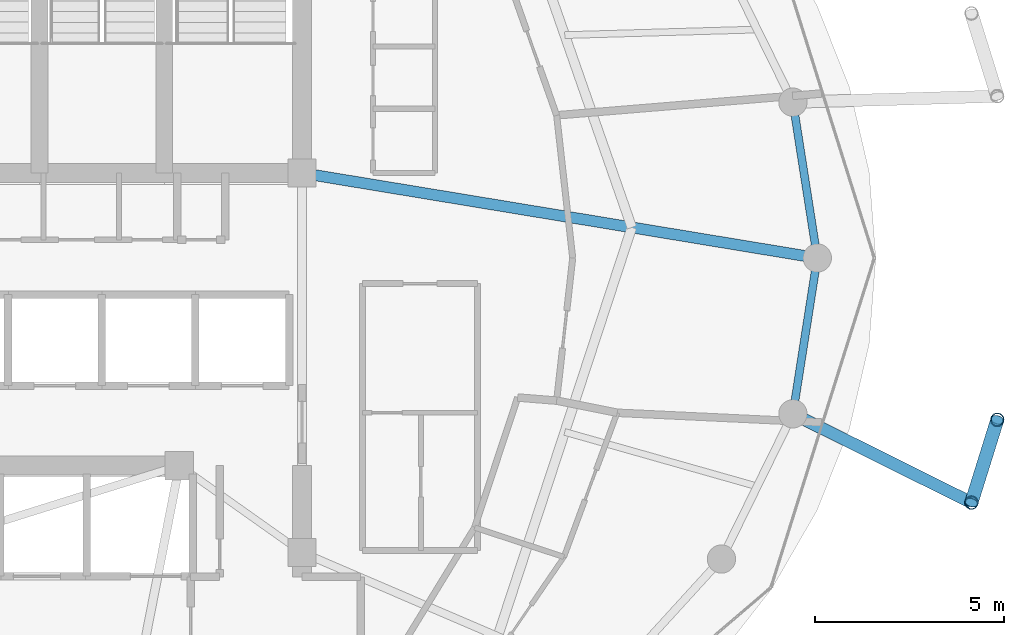
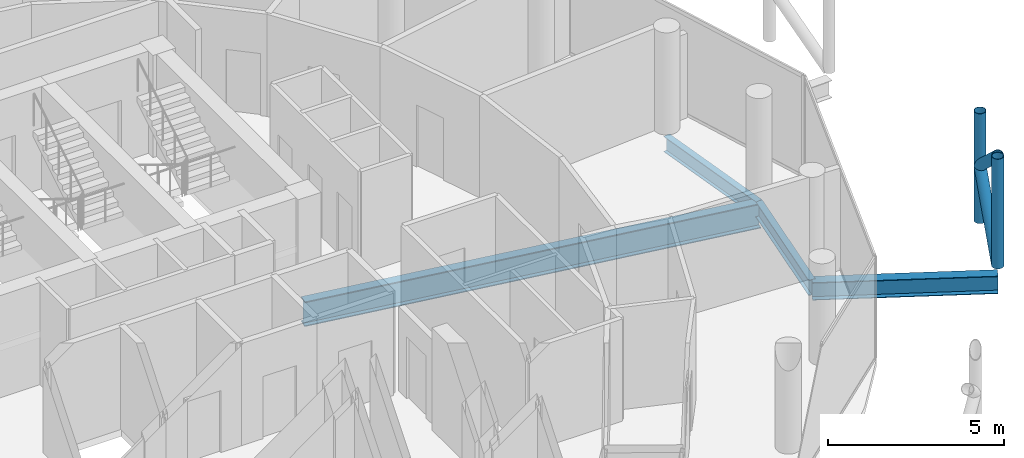
# One storey, part 11 of 24: 4 beams, 4 members.
"""IFC4 building model written with IfcOpenShell, lengths in metres."""

from ifc_helpers import new_model, si_unit, direction, frame, origin, origin_2d, place, context, subcontext, project, spatial, hollow_circle, i_section, extrude, material, material_profile, profile_set, type_object, element, save


model = new_model("IFC4")

# Units and contexts
model_context = context("Model", 3, precision=1e-05, world=origin(), true_north=direction((0.0, 1.0)))
body_context = subcontext(model_context, "Body", "Model", "MODEL_VIEW")
ifc_project = project(units=[si_unit("LENGTHUNIT", "METRE"), si_unit("AREAUNIT", "SQUARE_METRE"), si_unit("VOLUMEUNIT", "CUBIC_METRE"), si_unit("PLANEANGLEUNIT", "RADIAN"), si_unit("MASSUNIT", "GRAM", prefix="KILO")], contexts=[model_context])

# Site, building, storey
site_placement = place(None, origin())
site = spatial("IfcSite", under=ifc_project, at=site_placement, CompositionType="ELEMENT")
building_placement = place(site_placement, origin())
building = spatial("IfcBuilding", under=site, at=building_placement, Name="Nuhasar Tower", CompositionType="ELEMENT")
storey_placement = place(building_placement, frame((0.0, 0.0, 259.39990234375)))
storey = spatial("IfcBuildingStorey", under=building, at=storey_placement, Name="L64", CompositionType="ELEMENT", Elevation=259.39990234375)

# Beams
ifc_material_1 = material(Name="Steel S355", Category="steel")
ifc_material_profile_1 = material_profile(ifc_material_1, i_section(OverallWidth=0.2919921875, OverallDepth=0.85888671875, WebThickness=0.01708984375, FlangeThickness=0.031005859375, at=origin_2d()), Name="W33X169")
ifc_profile_set_1 = profile_set([ifc_material_profile_1], Name="Steel S355")
beam_type_1 = type_object("IfcBeamType", Name="BM-POD-W33X169", PredefinedType="BEAM", material=ifc_profile_set_1)
beam_1_placement = place(storey_placement, frame((44.300048828125, 29.050048828125, -0.68994140625), z_axis=(0.986685215874, -0.162641583786, 0.0), x_axis=(0.162641583786, 0.986685215874, 0.0)))
element("IfcBeam", 1, at=beam_1_placement, inside=storey, type_object=beam_type_1, Name="L64 Radial Floor Girder 04", PredefinedType="BEAM", context=body_context, shape_type="SweptSolid", body=[
    extrude(i_section(OverallWidth=0.2919921875, OverallDepth=0.85888671875, WebThickness=0.01708984375, FlangeThickness=0.031005859375, at=origin_2d()), origin(), (0.0, 0.0, 1.0), 13.833984375),
])
ifc_material_profile_2 = material_profile(ifc_material_1, i_section(OverallWidth=0.2099609375, OverallDepth=0.537109375, WebThickness=0.010986328125, FlangeThickness=0.017333984375, at=origin_2d()), Name="W21X68")
ifc_profile_set_2 = profile_set([ifc_material_profile_2], Name="Steel S355")
beam_type_2 = type_object("IfcBeamType", Name="BM-RING-W21X68", PredefinedType="SPANDREL", material=ifc_profile_set_2)
for number, where, z_axis, x_axis, name in (
    (2, (57.949951171875, 26.800048828125, -0.52880859375), (-0.154612165232, 0.987975241776, 0.0), (-0.987975241776, -0.154612165232, 0.0), "L64 Perimeter Ring Spandrel 01"),
    (3, (57.303955078125, 22.672119140625, -0.52880859375), (0.154612165232, 0.987975241776, 0.0), (-0.987975241776, 0.154612165232, 0.0), "L64 Perimeter Ring Spandrel 24"),
):
    element("IfcBeam", number, at=place(storey_placement, frame(where, z_axis=z_axis, x_axis=x_axis)), inside=storey, type_object=beam_type_2, Name=name, PredefinedType="SPANDREL", context=body_context, shape_type="SweptSolid", body=[
        extrude(i_section(OverallWidth=0.2099609375, OverallDepth=0.537109375, WebThickness=0.010986328125, FlangeThickness=0.017333984375, at=origin_2d()), origin(), (0.0, 0.0, 1.0), 4.17822265625),
    ])
ifc_material_profile_3 = material_profile(ifc_material_1, i_section(OverallWidth=0.323974609375, OverallDepth=0.611083984375, WebThickness=0.0126953125, FlangeThickness=0.01904296875, at=origin_2d()), Name="W24X104")
ifc_profile_set_3 = profile_set([ifc_material_profile_3], Name="Steel S355")
beam_type_3 = type_object("IfcBeamType", Name="BM-TIE-W24X104", PredefinedType="BEAM", material=ifc_profile_set_3)
beam_2_placement = place(storey_placement, frame((57.303955078125, 22.672119140625, -0.56591796875), z_axis=(0.895294451274, -0.445474853969, 0.0), x_axis=(0.445474853969, 0.895294451274, 0.0)))
element("IfcBeam", 4, at=beam_2_placement, inside=storey, type_object=beam_type_3, Name="L64 Exoskeleton Node Tie Beam 12", PredefinedType="BEAM", context=body_context, shape_type="SweptSolid", body=[
    extrude(i_section(OverallWidth=0.323974609375, OverallDepth=0.611083984375, WebThickness=0.0126953125, FlangeThickness=0.01904296875, at=origin_2d()), origin(), (0.0, 0.0, 1.0), 5.281982421875),
])

# Members
ifc_material_2 = material(Name="Steel S460", Category="steel")
ifc_material_profile_4 = material_profile(ifc_material_2, hollow_circle(Radius=0.177734375, WallThickness=0.015869140625, at=origin_2d()), Name="HSS355.6X15.9")
ifc_profile_set_4 = profile_set([ifc_material_profile_4], Name="Steel S460")
member_type = type_object("IfcMemberType", Name="EXO-BRONZE-356", PredefinedType="BRACE", material=ifc_profile_set_4)
for number, where, z_axis, x_axis, name in (
    (5, (62.032958984375, 20.319091796875, 0.0), (0.0, 0.0, 1.0), (1.0, 0.0, 0.0), "L64 Exoskeleton Chord Column EC-12A"),
    (6, (62.718017578125, 22.513916015625, 0.0), (0.0, 0.0, 1.0), (1.0, 0.0, 0.0), "L64 Exoskeleton Chord Column EC-12B"),
):
    element("IfcMember", number, at=place(storey_placement, frame(where, z_axis=z_axis, x_axis=x_axis)), inside=storey, type_object=member_type, Name=name, PredefinedType="BRACE", context=body_context, shape_type="SweptSolid", body=[
        extrude(hollow_circle(Radius=0.177734375, WallThickness=0.015869140625, at=origin_2d()), origin(), (0.0, 0.0, 1.0), 3.800048828125),
    ])
member_1_placement = place(storey_placement, frame((62.032958984375, 20.319091796875, 0.0), z_axis=(0.229669386127, 0.73582600901, 0.637033796232), x_axis=(-0.954581948223, 0.297948492404, 0.0)))
element("IfcMember", 7, at=member_1_placement, inside=storey, type_object=member_type, Name="L64 Bronze Diagrid Brace W1-12", PredefinedType="BRACE", context=body_context, shape_type="SweptSolid", body=[
    extrude(hollow_circle(Radius=0.177734375, WallThickness=0.015869140625, at=origin_2d()), origin(), (0.0, 0.0, 1.0), 2.98291015625),
])
member_2_placement = place(storey_placement, frame((62.718017578125, 22.513916015625, 1.900146484375), z_axis=(-0.229681361446, -0.735864376122, 0.636985158507), x_axis=(0.954581948223, -0.297948492404, 0.0)))
element("IfcMember", 8, at=member_2_placement, inside=storey, type_object=member_type, Name="L64 Bronze Diagrid Brace W2-12", PredefinedType="BRACE", context=body_context, shape_type="SweptSolid", body=[
    extrude(hollow_circle(Radius=0.177734375, WallThickness=0.015869140625, at=origin_2d()), origin(), (0.0, 0.0, 1.0), 2.982666015625),
])

save(model, "model.ifc")
